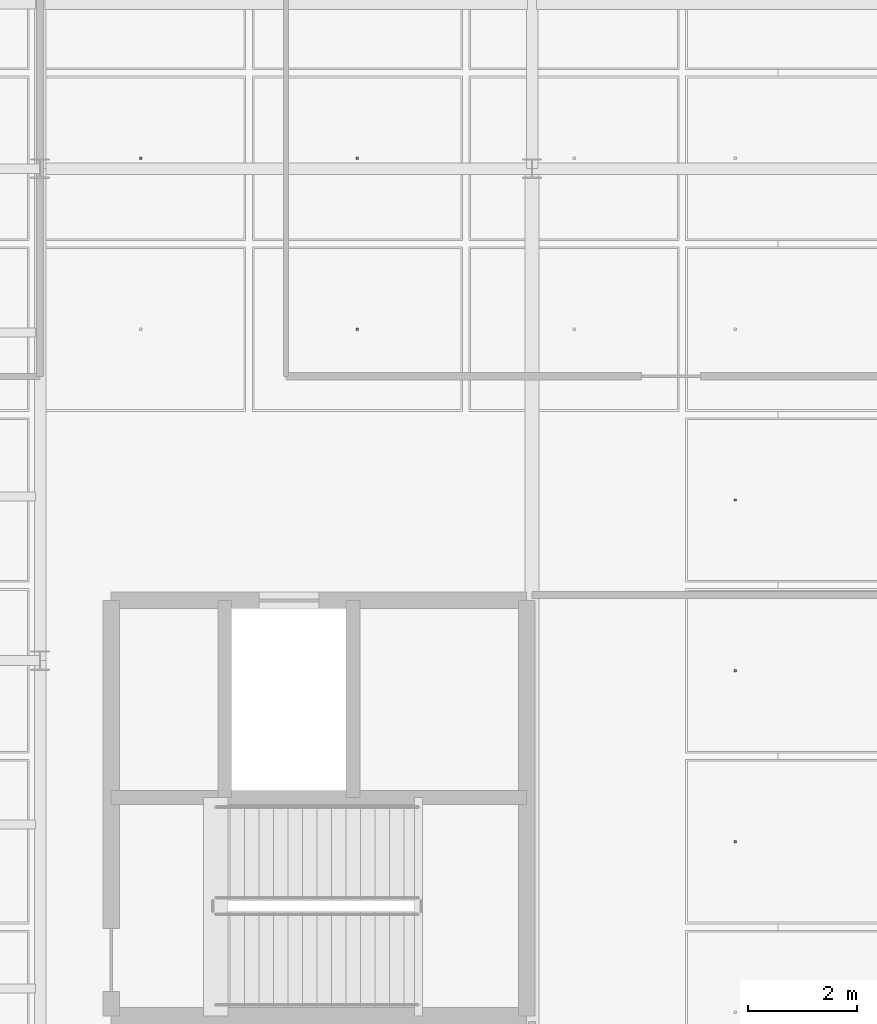
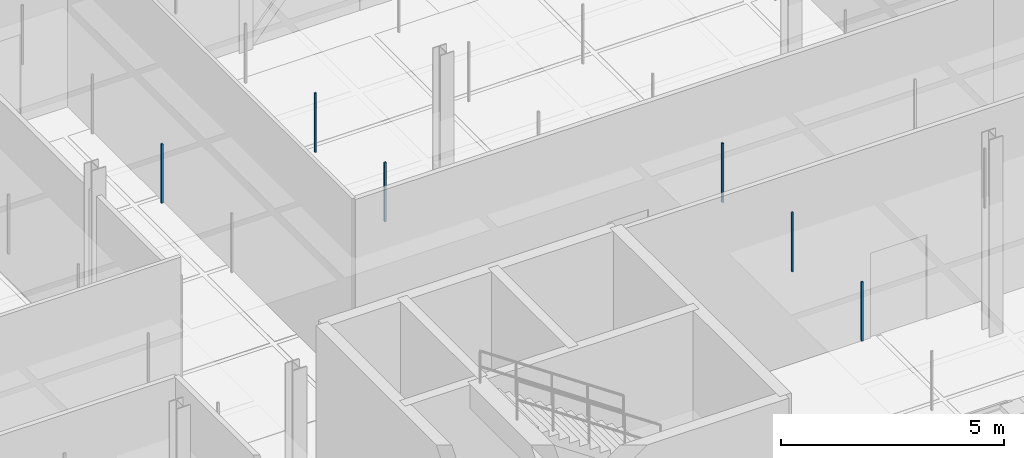
# One storey, part 130 of 180: 6 discrete accessories.
"""IFC4 building model written with IfcOpenShell, lengths in metres."""

from ifc_helpers import new_model, si_unit, direction, frame, origin, origin_2d, place, context, subcontext, project, spatial, rectangle, extrude, material, type_object, element, save


model = new_model("IFC4")

# Units and contexts
model_context = context("Model", 3, precision=1e-05, world=origin(), true_north=direction((0.0, 1.0)))
body_context = subcontext(model_context, "Body", "Model", "MODEL_VIEW")
ifc_project = project(units=[si_unit("LENGTHUNIT", "METRE"), si_unit("AREAUNIT", "SQUARE_METRE"), si_unit("VOLUMEUNIT", "CUBIC_METRE"), si_unit("PLANEANGLEUNIT", "RADIAN"), si_unit("MASSUNIT", "GRAM", prefix="KILO"), si_unit("THERMODYNAMICTEMPERATUREUNIT", "KELVIN"), si_unit("POWERUNIT", "WATT")], contexts=[model_context])

# Site, building, storey
site_placement = place(None, origin())
site = spatial("IfcSite", under=ifc_project, at=site_placement, CompositionType="ELEMENT")
building_placement = place(site_placement, origin())
building = spatial("IfcBuilding", under=site, at=building_placement, Name="Tallowbark Science Centre", CompositionType="ELEMENT")
storey_placement = place(building_placement, origin())
storey = spatial("IfcBuildingStorey", under=building, at=storey_placement, Name="L00", CompositionType="ELEMENT", Elevation=0.0)

# Discrete accessories
ifc_material = material(Name="Galvanised Steel Grade C350L0 (350 MPa)", Category="steel")
discrete_accessory_type = type_object("IfcDiscreteAccessoryType", Name="ACC-CLG-HNG", PredefinedType="BRACKET", material=ifc_material)
for number, where, z_axis, x_axis, name in (
    (1, (73.83935546875, 90.1875, 3.60498046875), (0.0, 0.0, 1.0), (1.0, 0.0, 0.0), "Ceiling Hanger Bracket L00-330"),
    (2, (77.8037109375, 87.0625, 3.60498046875), (0.0, 0.0, 1.0), (1.0, 0.0, 0.0), "Ceiling Hanger Bracket L00-333"),
    (3, (77.8037109375, 90.1875, 3.60498046875), (0.0, 0.0, 1.0), (1.0, 0.0, 0.0), "Ceiling Hanger Bracket L00-334"),
    (4, (84.719970703125, 77.6875, 3.60498046875), (0.0, 0.0, 1.0), (1.0, 0.0, 0.0), "Ceiling Hanger Bracket L00-342"),
    (5, (84.719970703125, 80.8125, 3.60498046875), (0.0, 0.0, 1.0), (1.0, 0.0, 0.0), "Ceiling Hanger Bracket L00-343"),
    (6, (84.719970703125, 83.9375, 3.60498046875), (0.0, 0.0, 1.0), (1.0, 0.0, 0.0), "Ceiling Hanger Bracket L00-344"),
):
    element("IfcDiscreteAccessory", number, at=place(storey_placement, frame(where, z_axis=z_axis, x_axis=x_axis)), inside=storey, type_object=discrete_accessory_type, Name=name, PredefinedType="BRACKET", context=body_context, shape_type="SweptSolid", body=[
        extrude(rectangle(XDim=0.044921875, YDim=0.044921875, at=origin_2d()), origin(), (0.0, 0.0, 1.0), 1.617919921875),
    ])

save(model, "model.ifc")
